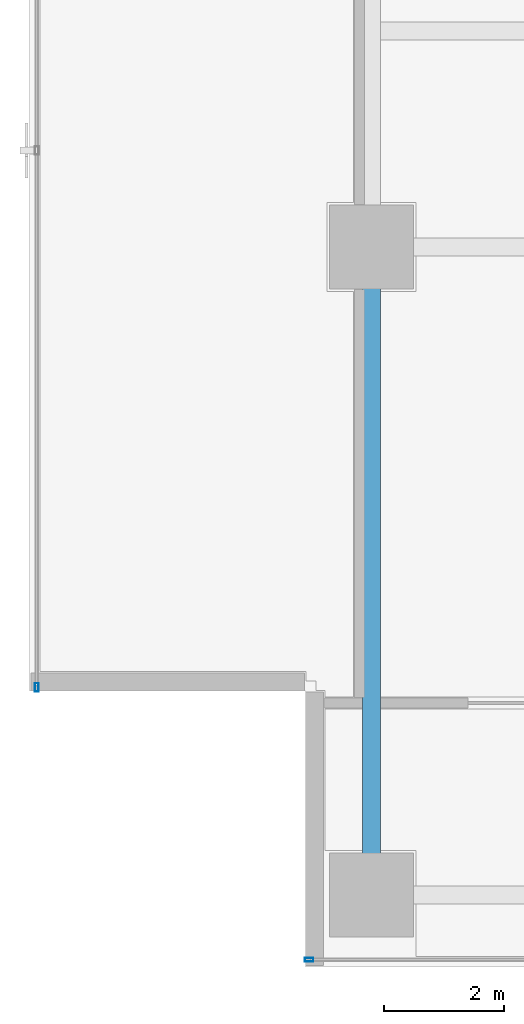
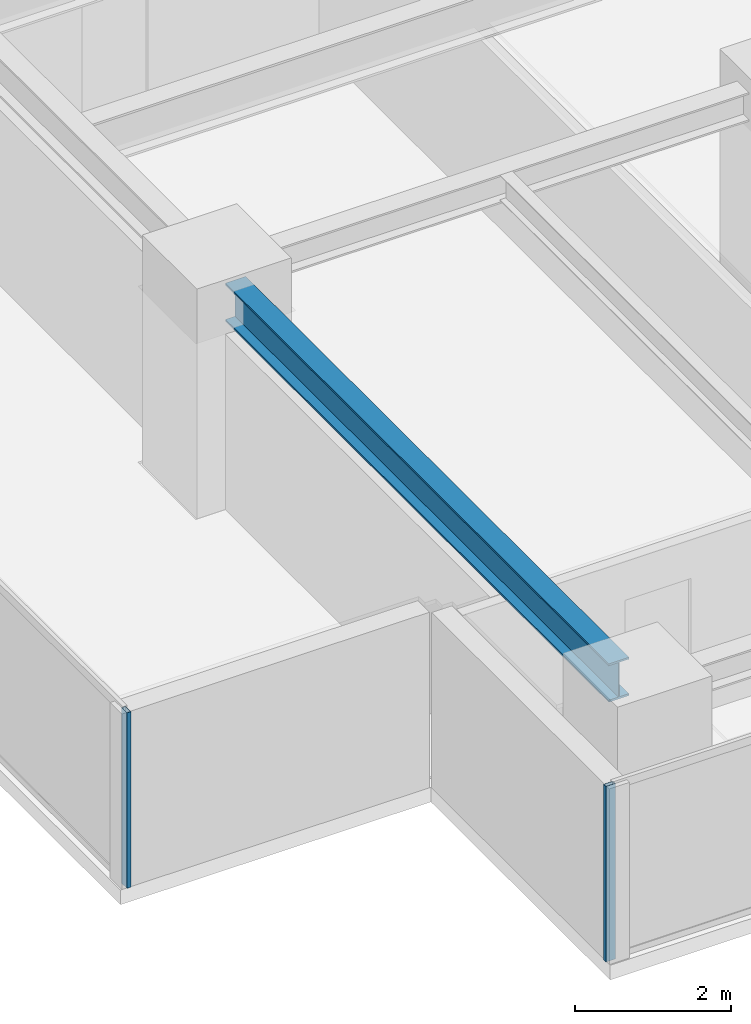
# One storey, part 2 of 26: 2 members, 1 beam, 2 elements without a shape of their own.
"""IFC4 building model written with IfcOpenShell, lengths in metres."""

from ifc_helpers import new_model, si_unit, direction, frame, origin, origin_2d, place, context, subcontext, project, spatial, hollow_rectangle, i_section, extrude, source, transform, mapped, material, layer, layer_set, material_profile, profile_set, type_object, element, aggregate, save


model = new_model("IFC4")

# Units and contexts
model_context = context("Model", 3, precision=1e-05, world=origin(), true_north=direction((0.0, 1.0)))
body_context = subcontext(model_context, "Body", "Model", "MODEL_VIEW")
ifc_project = project(units=[si_unit("LENGTHUNIT", "METRE"), si_unit("AREAUNIT", "SQUARE_METRE"), si_unit("VOLUMEUNIT", "CUBIC_METRE"), si_unit("PLANEANGLEUNIT", "RADIAN"), si_unit("MASSUNIT", "GRAM", prefix="KILO")], contexts=[model_context])

# Site, building, storey
site_placement = place(None, origin())
site = spatial("IfcSite", under=ifc_project, at=site_placement, CompositionType="ELEMENT")
building_placement = place(site_placement, origin())
building = spatial("IfcBuilding", under=site, at=building_placement, Name="Sumidabori Civic Tower", CompositionType="ELEMENT")
storey_placement = place(building_placement, frame((0.0, 0.0, 254.0)))
storey = spatial("IfcBuildingStorey", under=building, at=storey_placement, Name="L66", CompositionType="ELEMENT", Elevation=254.0)

# Beam
ifc_material_1 = material(Name="Steel SN490", Category="steel")
ifc_material_profile_1 = material_profile(ifc_material_1, i_section(OverallWidth=0.300048828125, OverallDepth=0.60009765625, WebThickness=0.015380859375, FlangeThickness=0.030029296875, at=origin_2d()), Name="HE 600 B")
ifc_profile_set_1 = profile_set([ifc_material_profile_1], Name="Steel SN490")
beam_type = type_object("IfcBeamType", Name="BM-GIRD-600", PredefinedType="BEAM", material=ifc_profile_set_1)
shared_shape_1 = source(origin(), body_context, "Body", "SweptSolid", [
    extrude(i_section(OverallWidth=0.300048828125, OverallDepth=0.60009765625, WebThickness=0.015380859375, FlangeThickness=0.030029296875, at=origin_2d()), origin(), (0.0, 0.0, 1.0), 9.840087890625),
])
beam_placement = place(storey_placement, frame((-16.800048828125, -10.320068359375, 3.070068359375), z_axis=(0.0, 1.0, 0.0), x_axis=(-1.0, 0.0, 0.0)))
element("IfcBeam", 1, at=beam_placement, inside=storey, type_object=beam_type, Name="Primary Girder L66 GY-09", PredefinedType="BEAM", context=body_context, shape_type="MappedRepresentation", body=[
    mapped(shared_shape_1, transform((0.0, 0.0, 0.0), x_axis=(1.0, 0.0, 0.0), y_axis=(0.0, 1.0, 0.0), z_axis=(0.0, 0.0, 1.0), scale=1.0)),
])

# Curtain wall, member
ifc_material_2 = material(Name="Anodised Bronze Aluminium AW-6063-T6", Category="aluminium")
ifc_layer = layer(ifc_material_2, 0.179931640625, Name="Anodised Bronze Aluminium AW-6063-T6")
ifc_layer_set = layer_set([ifc_layer], Name="Anodised Bronze Aluminium AW-6063-T6")
curtain_wall_type = type_object("IfcCurtainWallType", Name="CW-SYS-5", PredefinedType="NOTDEFINED", material=ifc_layer_set)
curtain_wall_1_placement = place(storey_placement, origin())
curtain_wall_1 = element("IfcCurtainWall", 2, at=curtain_wall_1_placement, inside=storey, type_object=curtain_wall_type, Name="Curtain Wall CW:L66:R01", PredefinedType="NOTDEFINED")
ifc_material_profile_2 = material_profile(ifc_material_2, hollow_rectangle(XDim=0.06005859375, YDim=0.139892578125, WallThickness=0.0048828125, at=origin_2d()), Name="ALU MULLION 140x60")
ifc_profile_set_2 = profile_set([ifc_material_profile_2], Name="Anodised Bronze Aluminium AW-6063-T6")
member_type = type_object("IfcMemberType", Name="CW-MUL-140", PredefinedType="MULLION", material=ifc_profile_set_2)
shared_shape_2 = source(origin(), body_context, "Body", "SweptSolid", [
    extrude(hollow_rectangle(XDim=0.06005859375, YDim=0.139892578125, WallThickness=0.0048828125, at=origin_2d()), origin(), (0.0, 0.0, 1.0), 2.75),
])
member_1_placement = place(storey_placement, frame((-17.840087890625, -11.8798828125, 0.0), z_axis=(0.0, 0.0, 1.0), x_axis=(0.0, 1.0, 0.0)))
member_1 = element("IfcMember", 3, at=member_1_placement, type_object=member_type, Name="CW-5 mullion 1", PredefinedType="MULLION", context=body_context, shape_type="MappedRepresentation", body=[
    mapped(shared_shape_2, transform((0.0, 0.0, 0.0), x_axis=(1.0, 0.0, 0.0), y_axis=(0.0, 1.0, 0.0), z_axis=(0.0, 0.0, 1.0), scale=1.0)),
])
aggregate(curtain_wall_1, [member_1])

curtain_wall_2_placement = place(storey_placement, origin())
curtain_wall_2 = element("IfcCurtainWall", 4, at=curtain_wall_2_placement, inside=storey, type_object=curtain_wall_type, Name="Curtain Wall CW:L66:R10", PredefinedType="NOTDEFINED")
member_2_placement = place(storey_placement, frame((-22.3798828125, -7.340087890625, 0.0), z_axis=(0.0, 0.0, 1.0), x_axis=(1.0, 0.0, 0.0)))
member_2 = element("IfcMember", 5, at=member_2_placement, type_object=member_type, Name="CW-5 mullion 4", PredefinedType="MULLION", context=body_context, shape_type="MappedRepresentation", body=[
    mapped(shared_shape_2, transform((0.0, 0.0, 0.0), x_axis=(1.0, 0.0, 0.0), y_axis=(0.0, 1.0, 0.0), z_axis=(0.0, 0.0, 1.0), scale=1.0)),
])
aggregate(curtain_wall_2, [member_2])

save(model, "model.ifc")
